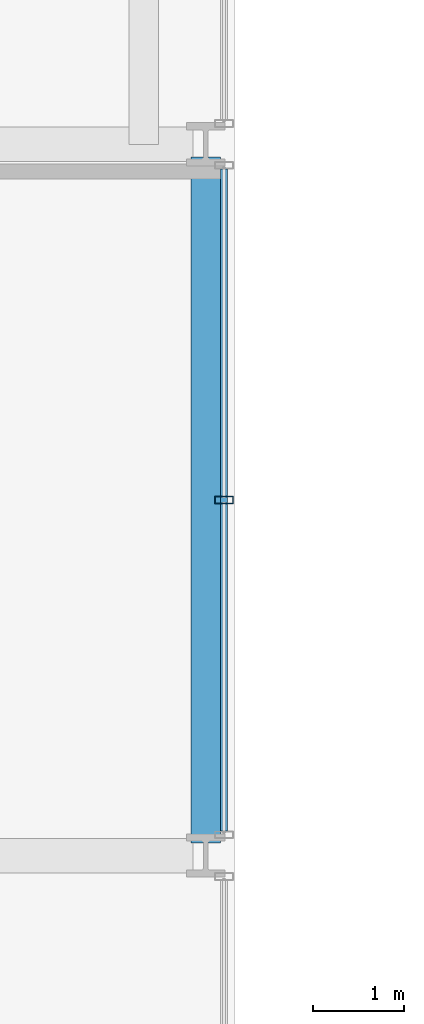
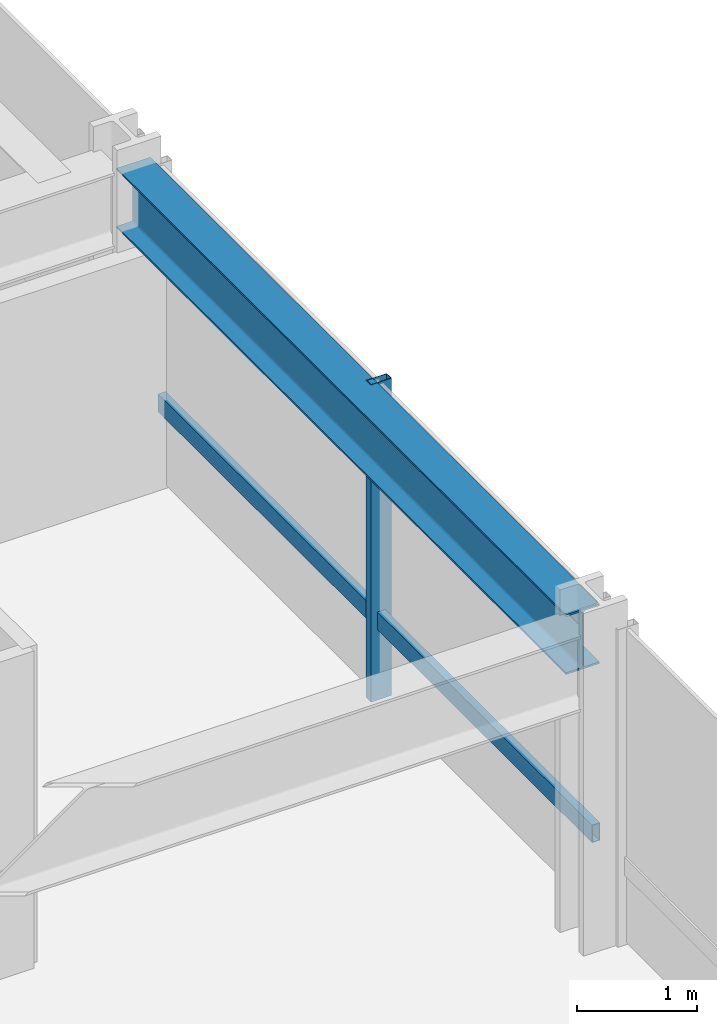
# One storey, part 14 of 38: 2 members, 1 beam, 1 element without a shape of its own.
"""IFC4 building model written with IfcOpenShell, lengths in metres."""

import ifcopenshell
import ifcopenshell.guid

model = None  # the IFC model being written
_history = None  # IfcOwnerHistory: only IFC2X3 demands one
_inside = {}  # id of a spatial element -> (the spatial element, [elements in it])
_under = {}  # id of a project, library or spatial element -> (it, [spatial elements below it])
_declared = {}  # id of a project -> (the project, [libraries it declares])
_typed = {}  # id of a type object -> (the type object, [elements of that type])
_made_of = {}  # id of a material, layer set ... -> (it, [elements and type objects made of it])


def new_model(schema):
    """Start an empty IFC model of exactly this schema.

    Asked for "IFC4X3", IfcOpenShell would pick the latest addendum, in which some entities
    have other attributes; the version numbers below select the first issue.
    IFC2X3 requires an IfcOwnerHistory on every rooted entity: one is made here for all.
    """
    global model, _history
    if schema == "IFC4X3":
        model = ifcopenshell.file(schema_version=(4, 3, 0, 0))
    else:
        model = ifcopenshell.file(schema=schema)
    _inside.clear()
    _under.clear()
    _declared.clear()
    _typed.clear()
    _made_of.clear()
    _history = None
    if model.schema == "IFC2X3":
        org = make("IfcOrganization", Name="unknown")
        user = make(
            "IfcPersonAndOrganization",
            ThePerson=make("IfcPerson", FamilyName="unknown"),
            TheOrganization=org,
        )
        app = make(
            "IfcApplication",
            ApplicationDeveloper=org,
            Version="unknown",
            ApplicationFullName="unknown",
            ApplicationIdentifier="unknown",
        )
        _history = make(
            "IfcOwnerHistory",
            OwningUser=user,
            OwningApplication=app,
            ChangeAction="ADDED",
            CreationDate=0,
        )
    return model


def make(cls, **values):
    """One entity of the class cls with the attributes given. An attribute that is None is left unset."""
    return model.create_entity(
        cls, **{name: value for name, value in values.items() if value is not None}
    )


def rooted(cls, **values):
    """An entity with a GlobalId (a new one), such as an element, a storey or a relation."""
    return make(cls, GlobalId=ifcopenshell.guid.new(), OwnerHistory=_history, **values)


def si_unit(unit_type, name, prefix=None):
    """IfcSIUnit, for example si_unit("LENGTHUNIT", "METRE", prefix="MILLI")."""
    return make("IfcSIUnit", UnitType=unit_type, Prefix=prefix, Name=name)


def assignment(units):
    """IfcUnitAssignment: the units of a project."""
    return None if units is None else make("IfcUnitAssignment", Units=units)


def point(xyz):
    """IfcCartesianPoint."""
    return None if xyz is None else make("IfcCartesianPoint", Coordinates=xyz)


def direction(xyz):
    """IfcDirection."""
    return None if xyz is None else make("IfcDirection", DirectionRatios=xyz)


def frame(location, z_axis=None, x_axis=None):
    """IfcAxis2Placement3D, a coordinate frame: its origin and axes. An axis left out is left unset."""
    return make(
        "IfcAxis2Placement3D",
        Location=point(location),
        Axis=direction(z_axis),
        RefDirection=direction(x_axis),
    )


def frame_2d(location, x_axis=None):
    """IfcAxis2Placement2D, a coordinate frame in the plane: its origin and x axis."""
    return make(
        "IfcAxis2Placement2D", Location=point(location), RefDirection=direction(x_axis)
    )


def origin():
    """The frame at (0, 0, 0) with its axes left unset."""
    return frame((0.0, 0.0, 0.0))


def origin_2d():
    """The frame at (0, 0) in the plane with its x axis left unset."""
    return frame_2d((0.0, 0.0))


def place(relative_to, where):
    """IfcLocalPlacement: puts the frame where relative to a parent placement (None: the world)."""
    return make(
        "IfcLocalPlacement", PlacementRelTo=relative_to, RelativePlacement=where
    )


def context(
    kind, dimensions, precision=None, world=None, true_north=None, identifier=None
):
    """IfcGeometricRepresentationContext, for example the 3D "Model" context."""
    return make(
        "IfcGeometricRepresentationContext",
        ContextIdentifier=identifier,
        ContextType=kind,
        CoordinateSpaceDimension=dimensions,
        Precision=precision,
        WorldCoordinateSystem=world,
        TrueNorth=true_north,
    )


def subcontext(parent, identifier, kind, view, scale=None):
    """IfcGeometricRepresentationSubContext, for example "Body" below "Model"."""
    return make(
        "IfcGeometricRepresentationSubContext",
        ContextIdentifier=identifier,
        ContextType=kind,
        ParentContext=parent,
        TargetScale=scale,
        TargetView=view,
    )


def project(units=None, contexts=None):
    """IfcProject with its units and contexts."""
    return rooted(
        "IfcProject",
        Name="project",
        RepresentationContexts=contexts,
        UnitsInContext=assignment(units),
    )


def spatial(cls, under=None, at=None, **own):
    """A site, building, storey or space (cls), placed at a placement, below another one or the project."""
    s = rooted(cls, ObjectPlacement=at, **own)
    if under is not None:
        _under.setdefault(under.id(), (under, []))[1].append(s)
    return s


def profile(cls, at=None, kind="AREA", **sizes):
    """A parametric profile (cls). Its sizes go by their IFC names, for example OverallWidth=200.0."""
    return make(cls, ProfileType=kind, Position=at, **sizes)


def hollow_rectangle(**sizes):
    """IfcRectangleHollowProfileDef."""
    return profile("IfcRectangleHollowProfileDef", **sizes)


def i_section(**sizes):
    """IfcIShapeProfileDef."""
    return profile("IfcIShapeProfileDef", **sizes)


def extrude(swept, where, along, depth):
    """IfcExtrudedAreaSolid: the profile swept, set in the frame where, extruded along a direction by depth."""
    return make(
        "IfcExtrudedAreaSolid",
        SweptArea=swept,
        Position=where,
        ExtrudedDirection=direction(along),
        Depth=depth,
    )


def shape(context_of_items, identifier, shape_type, items):
    """IfcShapeRepresentation: the items that make up one representation, for example the "Body"."""
    return make(
        "IfcShapeRepresentation",
        ContextOfItems=context_of_items,
        RepresentationIdentifier=identifier,
        RepresentationType=shape_type,
        Items=items,
    )


def material(Name=None, Category=None):
    """IfcMaterial."""
    return make("IfcMaterial", Name=Name, Category=Category)


def layer(
    of_material, thickness, ventilated=None, Name=None, Category=None, Priority=None
):
    """IfcMaterialLayer: one layer of a wall or slab, of a material (None: an air gap)."""
    return make(
        "IfcMaterialLayer",
        Material=of_material,
        LayerThickness=thickness,
        IsVentilated=ventilated,
        Name=Name,
        Category=Category,
        Priority=Priority,
    )


def layer_set(layers, Name=None):
    """IfcMaterialLayerSet."""
    return make("IfcMaterialLayerSet", MaterialLayers=layers, LayerSetName=Name)


def material_profile(
    of_material, cross_section, Name=None, Category=None, Priority=None
):
    """IfcMaterialProfile: a cross section and its material."""
    return make(
        "IfcMaterialProfile",
        Name=Name,
        Material=of_material,
        Profile=cross_section,
        Priority=Priority,
        Category=Category,
    )


def profile_set(profiles, Name=None, composite=None):
    """IfcMaterialProfileSet."""
    return make(
        "IfcMaterialProfileSet",
        Name=Name,
        MaterialProfiles=profiles,
        CompositeProfile=composite,
    )


def made_of(thing, what):
    """Note that an element or type object is made of a material, layer set ...; save() writes the relation."""
    if what is not None:
        _made_of.setdefault(what.id(), (what, []))[1].append(thing)
    return thing


def type_object(cls, material=None, **own):
    """A type object (cls), such as IfcWallType, which elements share."""
    return made_of(rooted(cls, **own), material)


def element(
    cls,
    number,
    at=None,
    inside=None,
    cuts=None,
    type_object=None,
    material=None,
    context=None,
    identifier="Body",
    shape_type=None,
    held_by="IfcProductDefinitionShape",
    body=None,
    shapes=None,
    **own,
):
    """One element of the class cls, such as IfcWall. Its Tag is "e" and its number.

    at: its placement. inside: the storey or other place that contains it. cuts: it is an
    opening in that element (IfcRelVoidsElement). A single representation is given by context,
    identifier, shape_type and body (its items); several are given by shapes. held_by: the class
    of the entity that holds the representations. save() writes the other relations.
    """
    e = rooted(cls, Tag="e%d" % number, ObjectPlacement=at, **own)
    if body is not None:
        shapes = [shape(context, identifier, shape_type, body)]
    if shapes is not None:
        e.Representation = make(held_by, Representations=shapes)
    if inside is not None:
        _inside.setdefault(inside.id(), (inside, []))[1].append(e)
    if cuts is not None:
        rooted(
            "IfcRelVoidsElement", RelatingBuildingElement=cuts, RelatedOpeningElement=e
        )
    if type_object is not None:
        _typed.setdefault(type_object.id(), (type_object, []))[1].append(e)
    return made_of(e, material)


def aggregate(whole, parts):
    """IfcRelAggregates: a whole, such as a stair, and the parts it consists of."""
    return rooted("IfcRelAggregates", RelatingObject=whole, RelatedObjects=parts)


def save(model, path):
    """Write the relations noted so far, then the file.

    IfcRelAggregates (storeys below a building ...), IfcRelContainedInSpatialStructure (elements
    in a storey), IfcRelDefinesByType, IfcRelAssociatesMaterial and IfcRelDeclares: one each for
    every whole, place, type object, material and project.
    """
    for whole, parts in _under.values():
        aggregate(whole, parts)
    for where, things in _inside.values():
        rooted(
            "IfcRelContainedInSpatialStructure",
            RelatedElements=things,
            RelatingStructure=where,
        )
    for kind, things in _typed.values():
        rooted("IfcRelDefinesByType", RelatedObjects=things, RelatingType=kind)
    for what, things in _made_of.values():
        rooted("IfcRelAssociatesMaterial", RelatedObjects=things, RelatingMaterial=what)
    for by, libraries in _declared.values():
        rooted("IfcRelDeclares", RelatingContext=by, RelatedDefinitions=libraries)
    model.write(path)


model = new_model("IFC4")

# Units and contexts
model_context = context("Model", 3, precision=1e-05, world=origin(), true_north=direction((0.0, 1.0)))
body_context = subcontext(model_context, "Body", "Model", "MODEL_VIEW")
ifc_project = project(units=[si_unit("LENGTHUNIT", "METRE"), si_unit("AREAUNIT", "SQUARE_METRE"), si_unit("VOLUMEUNIT", "CUBIC_METRE"), si_unit("PLANEANGLEUNIT", "RADIAN"), si_unit("MASSUNIT", "GRAM", prefix="KILO")], contexts=[model_context])

# Site, building, storey
site_placement = place(None, origin())
site = spatial("IfcSite", under=ifc_project, at=site_placement, CompositionType="ELEMENT")
building_placement = place(site_placement, origin())
building = spatial("IfcBuilding", under=site, at=building_placement, Name="Drelvath Grand Hotel", CompositionType="ELEMENT")
storey_placement = place(building_placement, frame((0.0, 0.0, 68.199951171875)))
storey = spatial("IfcBuildingStorey", under=building, at=storey_placement, Name="L16", CompositionType="ELEMENT", Elevation=68.199951171875)

# Curtain wall, members
ifc_material_1 = material(Name="Warm Bronze Anodised Aluminium Frame", Category="aluminium")
ifc_layer = layer(ifc_material_1, 0.199951171875)
ifc_layer_set = layer_set([ifc_layer], Name="Warm Bronze Anodised Aluminium Frame")
curtain_wall_type = type_object("IfcCurtainWallType", Name="Stick Curtain Wall CW-02 Warm Bronze Low-Rise", PredefinedType="NOTDEFINED", material=ifc_layer_set)
curtain_wall_placement = place(storey_placement, origin())
curtain_wall = element("IfcCurtainWall", 1, at=curtain_wall_placement, inside=storey, type_object=curtain_wall_type, Name="L16 CW-02 Curtain Wall CW02-L16-ES2", PredefinedType="NOTDEFINED")
ifc_material_profile_1 = material_profile(ifc_material_1, hollow_rectangle(XDim=0.074951171875, YDim=0.179931640625, WallThickness=0.0048828125, at=origin_2d()), Name="HSS180X75X5")
ifc_profile_set_1 = profile_set([ifc_material_profile_1], Name="Warm Bronze Anodised Aluminium Frame")
member_type_1 = type_object("IfcMemberType", Name="Curtain Wall Horizontal Transom CW-02 HSS180X75X5", PredefinedType="USERDEFINED", material=ifc_profile_set_1)
member_1_placement = place(storey_placement, frame((26.8798828125, 18.330810546875, 0.81005859375), z_axis=(0.0, -1.0, 0.0), x_axis=(1.0, 0.0, 0.0)))
member_1 = element("IfcMember", 2, at=member_1_placement, type_object=member_type_1, Name="CW02-L16-ES2 Sill Transom", ObjectType="TRANSOM", PredefinedType="USERDEFINED", context=body_context, shape_type="SweptSolid", body=[
    extrude(hollow_rectangle(XDim=0.074951171875, YDim=0.179931640625, WallThickness=0.0048828125, at=origin_2d()), origin(), (0.0, 0.0, 1.0), 7.26171875),
])
ifc_material_profile_2 = material_profile(ifc_material_1, hollow_rectangle(XDim=0.080078125, YDim=0.199951171875, WallThickness=0.0048828125, at=origin_2d()), Name="HSS200X80X5")
ifc_profile_set_2 = profile_set([ifc_material_profile_2], Name="Warm Bronze Anodised Aluminium Frame")
member_type_2 = type_object("IfcMemberType", Name="Curtain Wall Vertical Mullion CW-02 HSS200X80X5", PredefinedType="MULLION", material=ifc_profile_set_2)
member_2_placement = place(storey_placement, frame((26.8798828125, 14.699951171875, 0.0), z_axis=(0.0, 0.0, 1.0), x_axis=(0.0, 1.0, 0.0)))
member_2 = element("IfcMember", 3, at=member_2_placement, type_object=member_type_2, Name="CW02-L16-ES2 Mullion 2", PredefinedType="MULLION", context=body_context, shape_type="SweptSolid", body=[
    extrude(hollow_rectangle(XDim=0.080078125, YDim=0.199951171875, WallThickness=0.0048828125, at=origin_2d()), origin(), (0.0, 0.0, 1.0), 3.239990234375),
])
aggregate(curtain_wall, [member_2, member_1])

# Beam
ifc_material_2 = material(Name="Steel ASTM A992 Gr 50", Category="steel")
ifc_material_profile_3 = material_profile(ifc_material_2, i_section(OverallWidth=0.323974609375, OverallDepth=0.611083984375, WebThickness=0.0126953125, FlangeThickness=0.01904296875, FilletRadius=0.02197265625, at=origin_2d()), Name="W24X104")
ifc_profile_set_3 = profile_set([ifc_material_profile_3], Name="Steel ASTM A992 Gr 50")
beam_type = type_object("IfcBeamType", Name="Perimeter Spandrel Beam W24X104", PredefinedType="SPANDREL", material=ifc_profile_set_3)
beam_placement = place(storey_placement, frame((26.679931640625, 10.93994140625, 2.9345703125), z_axis=(0.0, 1.0, 0.0), x_axis=(-1.0, 0.0, 0.0)))
element("IfcBeam", 4, at=beam_placement, inside=storey, type_object=beam_type, Name="L16 Spandrel East S", PredefinedType="SPANDREL", context=body_context, shape_type="SweptSolid", body=[
    extrude(i_section(OverallWidth=0.323974609375, OverallDepth=0.611083984375, WebThickness=0.0126953125, FlangeThickness=0.01904296875, FilletRadius=0.02197265625, at=origin_2d()), origin(), (0.0, 0.0, 1.0), 7.52001953125),
])

save(model, "model.ifc")
